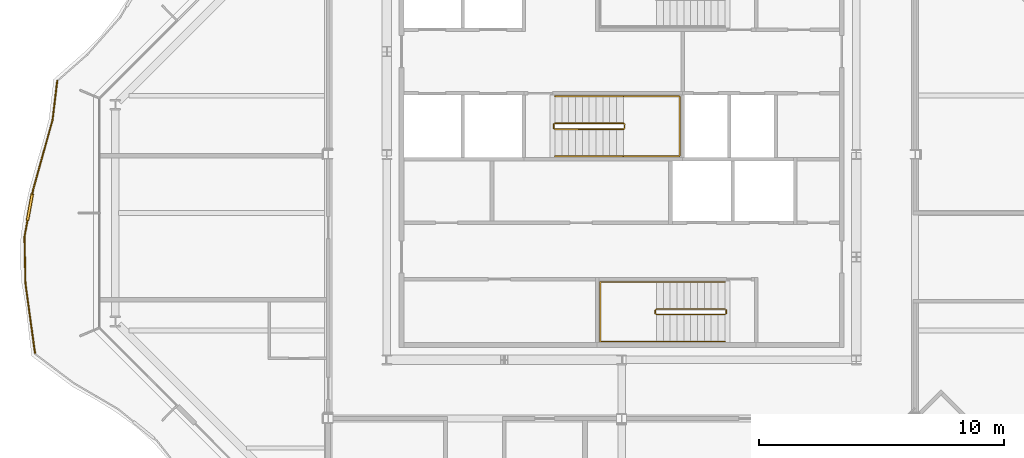
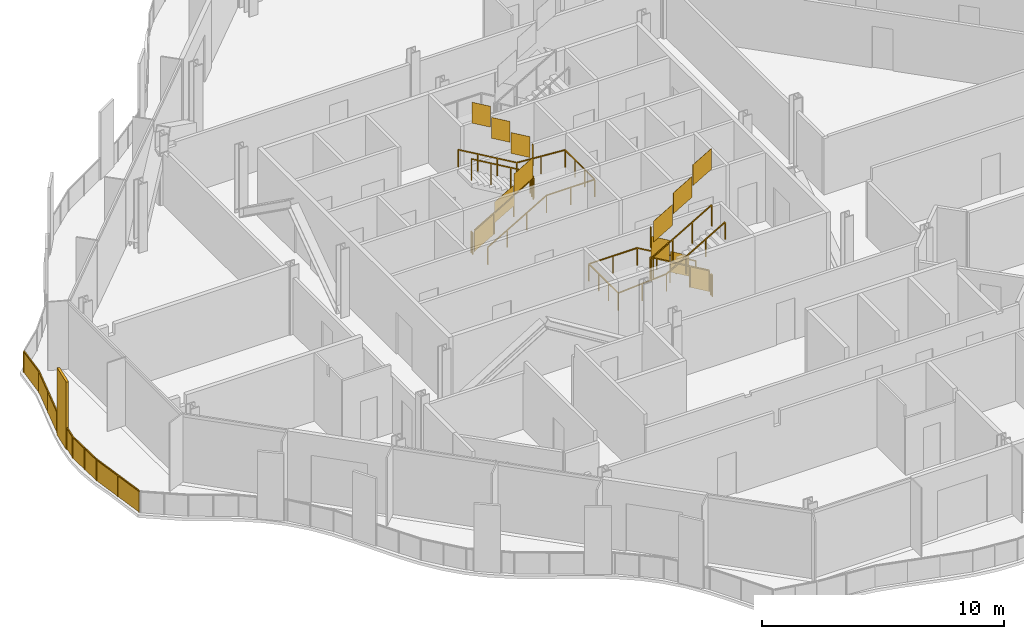
# One storey, part 14 of 17: 7 railings.
"""IFC4 building model written with IfcOpenShell, lengths in metres."""

from ifc_helpers import new_model, si_unit, direction, frame, origin, origin_2d, place, context, subcontext, project, spatial, polyline, rectangle, outline, extrude, material, type_object, element, save


model = new_model("IFC4")

# Units and contexts
model_context = context("Model", 3, precision=1e-05, world=origin(), true_north=direction((0.0, 1.0)))
body_context = subcontext(model_context, "Body", "Model", "MODEL_VIEW")
ifc_project = project(units=[si_unit("LENGTHUNIT", "METRE"), si_unit("AREAUNIT", "SQUARE_METRE"), si_unit("VOLUMEUNIT", "CUBIC_METRE"), si_unit("PLANEANGLEUNIT", "RADIAN"), si_unit("MASSUNIT", "GRAM", prefix="KILO")], contexts=[model_context])

# Site, building, storey
site_placement = place(None, origin())
site = spatial("IfcSite", under=ifc_project, at=site_placement, CompositionType="ELEMENT")
building_placement = place(site_placement, origin())
building = spatial("IfcBuilding", under=site, at=building_placement, Name="Cairn Pilgrim Tower", CompositionType="ELEMENT")
storey_placement = place(building_placement, frame((0.0, 0.0, 214.199951171875)))
storey = spatial("IfcBuildingStorey", under=building, at=storey_placement, Name="L54", CompositionType="ELEMENT", Elevation=214.199951171875)

# Railings
ifc_material_1 = material(Name="Bronze anodised aluminium rail, posts and fin screens with laminated glass infill", Category="aluminium")
railing_type_1 = type_object("IfcRailingType", Name="BALCONY GUARD WITH FIN SCREENS", PredefinedType="GUARDRAIL", material=ifc_material_1)
railing_1_placement = place(storey_placement, frame((-15.87744140625, 5.396240234375, 0.0)))
element("IfcRailing", 1, at=railing_1_placement, inside=storey, type_object=railing_type_1, Name="Balcony guard BGF-6 with fin screens", PredefinedType="GUARDRAIL", context=body_context, shape_type="SweptSolid", body=[
    extrude(rectangle(XDim=0.050048828125, YDim=0.050048828125, at=origin_2d()), frame((0.0, 0.0, 1.0751953125), z_axis=(-0.118047753881, -0.993007919306, 0.0), x_axis=(0.993007919306, -0.118047753881, 0.0)), (0.0, 0.0, 1.0), 1.5966796875),
    extrude(rectangle(XDim=0.050048828125, YDim=0.050048828125, at=origin_2d()), frame((-0.1884765625, -1.58544921875, 1.0751953125), z_axis=(-0.26848056208, -0.963285102026, 0.0), x_axis=(0.963285102026, -0.26848056208, 0.0)), (0.0, 0.0, 1.0), 2.994384765625),
    extrude(rectangle(XDim=1.10009765625, YDim=0.110107421875, at=origin_2d()), frame((-1.117431640625, -5.158447265625, 0.0), z_axis=(0.0, 0.0, 1.0), x_axis=(-0.178684983345, -0.983906335343, 0.0)), (0.0, 0.0, 1.0), 3.39990234375),
    extrude(rectangle(XDim=0.050048828125, YDim=0.050048828125, at=origin_2d()), frame((-0.992431640625, -4.469970703125, 1.0751953125), z_axis=(-0.178684983345, -0.983906335343, 0.0), x_axis=(0.983906335343, -0.178684983345, 0.0)), (0.0, 0.0, 1.0), 0.149658203125),
    extrude(rectangle(XDim=0.050048828125, YDim=0.050048828125, at=origin_2d()), frame((-1.2158203125, -5.699462890625, 1.0751953125), z_axis=(-0.178684983345, -0.983906335343, 0.0), x_axis=(0.983906335343, -0.178684983345, 0.0)), (0.0, 0.0, 1.0), 0.679443359375),
    extrude(rectangle(XDim=0.050048828125, YDim=0.050048828125, at=origin_2d()), frame((-1.337158203125, -6.3681640625, 1.0751953125), z_axis=(0.020078340876, -0.999798409795, 0.0), x_axis=(0.999798409795, 0.020078340876, 0.0)), (0.0, 0.0, 1.0), 1.89697265625),
    extrude(rectangle(XDim=0.050048828125, YDim=0.050048828125, at=origin_2d()), frame((-1.299072265625, -8.2646484375, 1.0751953125), z_axis=(0.135455995671, -0.990783363423, 0.0), x_axis=(0.990783363423, 0.135455995671, 0.0)), (0.0, 0.0, 1.0), 2.8603515625),
    extrude(rectangle(XDim=0.050048828125, YDim=0.050048828125, at=origin_2d()), origin(), (0.0, 0.0, 1.0), 1.050048828125),
    extrude(rectangle(XDim=0.050048828125, YDim=0.050048828125, at=origin_2d()), frame((-0.1884765625, -1.58544921875, 0.0)), (0.0, 0.0, 1.0), 1.050048828125),
    extrude(rectangle(XDim=0.050048828125, YDim=0.050048828125, at=origin_2d()), frame((-0.59033203125, -3.02783203125, 0.0)), (0.0, 0.0, 1.0), 1.050048828125),
    extrude(rectangle(XDim=0.050048828125, YDim=0.050048828125, at=origin_2d()), frame((-0.992431640625, -4.469970703125, 0.0)), (0.0, 0.0, 1.0), 1.050048828125),
    extrude(rectangle(XDim=0.050048828125, YDim=0.050048828125, at=origin_2d()), frame((-1.0146484375, -4.5927734375, 0.0)), (0.0, 0.0, 1.0), 1.050048828125),
    extrude(rectangle(XDim=0.050048828125, YDim=0.050048828125, at=origin_2d()), frame((-1.22021484375, -5.72412109375, 0.0)), (0.0, 0.0, 1.0), 1.050048828125),
    extrude(rectangle(XDim=0.050048828125, YDim=0.050048828125, at=origin_2d()), frame((-1.337158203125, -6.3681640625, 0.0)), (0.0, 0.0, 1.0), 1.050048828125),
    extrude(rectangle(XDim=0.050048828125, YDim=0.050048828125, at=origin_2d()), frame((-1.318115234375, -7.31640625, 0.0)), (0.0, 0.0, 1.0), 1.050048828125),
    extrude(rectangle(XDim=0.050048828125, YDim=0.050048828125, at=origin_2d()), frame((-1.299072265625, -8.2646484375, 0.0)), (0.0, 0.0, 1.0), 1.050048828125),
    extrude(rectangle(XDim=0.050048828125, YDim=0.050048828125, at=origin_2d()), frame((-1.10546875, -9.681640625, 0.0)), (0.0, 0.0, 1.0), 1.050048828125),
    extrude(rectangle(XDim=0.050048828125, YDim=0.050048828125, at=origin_2d()), frame((-0.91162109375, -11.0986328125, 0.0)), (0.0, 0.0, 1.0), 1.050048828125),
    extrude(outline(polyline([(0.02490234375, 0.0), (1.571533203125, 0.0), (1.571533203125, 1.050048828125), (0.02490234375, 1.050048828125), (0.02490234375, 0.0)])), frame((0.005859375, -0.000732421875, 0.0), z_axis=(-0.993007919306, 0.118047753881, 0.0), x_axis=(-0.118047753881, -0.993007919306, 0.0)), (0.0, 0.0, 1.0), 0.011962890625),
    extrude(outline(polyline([(0.02490234375, 0.0), (1.47216796875, 0.0), (1.47216796875, 1.050048828125), (0.02490234375, 1.050048828125), (0.02490234375, 0.0)])), frame((-0.1826171875, -1.587158203125, 0.0), z_axis=(-0.963285102026, 0.26848056208, 0.0), x_axis=(-0.26848056208, -0.963285102026, 0.0)), (0.0, 0.0, 1.0), 0.011962890625),
    extrude(outline(polyline([(0.02490234375, 0.0), (1.47216796875, 0.0), (1.47216796875, 1.050048828125), (0.02490234375, 1.050048828125), (0.02490234375, 0.0)])), frame((-0.584716796875, -3.029296875, 0.0), z_axis=(-0.963285102026, 0.26848056208, 0.0), x_axis=(-0.26848056208, -0.963285102026, 0.0)), (0.0, 0.0, 1.0), 0.011962890625),
    extrude(outline(polyline([(0.02490234375, 0.0), (0.099609375, 0.0), (0.099609375, 1.050048828125), (0.02490234375, 1.050048828125), (0.02490234375, 0.0)])), frame((-0.986572265625, -4.470947265625, 0.0), z_axis=(-0.983906335343, 0.178684983345, 0.0), x_axis=(-0.178684983345, -0.983906335343, 0.0)), (0.0, 0.0, 1.0), 0.011962890625),
    extrude(outline(polyline([(0.02490234375, 0.0), (0.62939453125, 0.0), (0.62939453125, 1.050048828125), (0.02490234375, 1.050048828125), (0.02490234375, 0.0)])), frame((-1.21435546875, -5.725341796875, 0.0), z_axis=(-0.983906335343, 0.178684983345, 0.0), x_axis=(-0.178684983345, -0.983906335343, 0.0)), (0.0, 0.0, 1.0), 0.011962890625),
    extrude(outline(polyline([(0.02490234375, 0.0), (0.92333984375, 0.0), (0.92333984375, 1.050048828125), (0.02490234375, 1.050048828125), (0.02490234375, 0.0)])), frame((-1.331298828125, -6.3681640625, 0.0), z_axis=(-0.999798409795, -0.020078340876, 0.0), x_axis=(0.020078340876, -0.999798409795, 0.0)), (0.0, 0.0, 1.0), 0.011962890625),
    extrude(outline(polyline([(0.02490234375, 0.0), (0.92333984375, 0.0), (0.92333984375, 1.050048828125), (0.02490234375, 1.050048828125), (0.02490234375, 0.0)])), frame((-1.312255859375, -7.31640625, 0.0), z_axis=(-0.999798409795, -0.020078340876, 0.0), x_axis=(0.020078340876, -0.999798409795, 0.0)), (0.0, 0.0, 1.0), 0.011962890625),
    extrude(outline(polyline([(0.02490234375, 0.0), (1.405029296875, 0.0), (1.405029296875, 1.050048828125), (0.02490234375, 1.050048828125), (0.02490234375, 0.0)])), frame((-1.293212890625, -8.263916015625, 0.0), z_axis=(-0.990783363423, -0.135455995671, 0.0), x_axis=(0.135455995671, -0.990783363423, 0.0)), (0.0, 0.0, 1.0), 0.011962890625),
    extrude(outline(polyline([(0.02490234375, 0.0), (1.405029296875, 0.0), (1.405029296875, 1.050048828125), (0.02490234375, 1.050048828125), (0.02490234375, 0.0)])), frame((-1.099365234375, -9.680908203125, 0.0), z_axis=(-0.990783363423, -0.135455995671, 0.0), x_axis=(0.135455995671, -0.990783363423, 0.0)), (0.0, 0.0, 1.0), 0.011962890625),
])
ifc_material_2 = material(Name="Painted steel", Category="steel")
railing_type_2 = type_object("IfcRailingType", Name="STAIR GUARD 1100", PredefinedType="GUARDRAIL", material=ifc_material_2)
railing_2_placement = place(storey_placement, frame((11.425048828125, -3.925048828125, 0.16357421875)))
element("IfcRailing", 2, at=railing_2_placement, inside=storey, type_object=railing_type_2, Name="L54 ST-A stair guard 1", PredefinedType="GUARDRAIL", context=body_context, shape_type="SweptSolid", body=[
    extrude(rectangle(XDim=0.048095703125, YDim=0.048095703125, at=origin_2d()), frame((0.0, 0.0, 1.076171875), z_axis=(-0.863360870873, 0.0, 0.504586966384), x_axis=(0.0, -1.0, 0.0)), (0.0, 0.0, 1.0), 3.2431640625),
    extrude(rectangle(XDim=0.048095703125, YDim=0.048095703125, at=origin_2d()), frame((-2.800048828125, 0.0, 2.71240234375), z_axis=(-0.707106781187, -0.707106781187, 0.0), x_axis=(0.707106781187, -0.707106781187, 0.0)), (0.0, 0.0, 1.0), 0.07080078125),
    extrude(rectangle(XDim=0.048095703125, YDim=0.048095703125, at=origin_2d()), frame((-2.85009765625, -0.050048828125, 2.71240234375), z_axis=(0.0, -1.0, 0.0), x_axis=(1.0, 0.0, 0.0)), (0.0, 0.0, 1.0), 0.125),
    extrude(rectangle(XDim=0.048095703125, YDim=0.048095703125, at=origin_2d()), frame((-2.85009765625, -0.175048828125, 2.71240234375), z_axis=(0.280916556609, -0.279546231943, 0.91811752648), x_axis=(0.705375805398, 0.708833529934, 0.0)), (0.0, 0.0, 1.0), 0.17822265625),
    extrude(rectangle(XDim=0.048095703125, YDim=0.048095703125, at=origin_2d()), frame((-2.800048828125, -0.224853515625, 2.8759765625), z_axis=(0.863360870873, 0.0, 0.504586966384), x_axis=(0.0, 1.0, 0.0)), (0.0, 0.0, 1.0), 3.2431640625),
    extrude(rectangle(XDim=0.0419921875, YDim=0.0419921875, at=origin_2d()), origin(), (0.0, 0.0, 1.0), 1.052001953125),
    extrude(rectangle(XDim=0.0419921875, YDim=0.0419921875, at=origin_2d()), frame((-0.933349609375, 0.0, 0.54541015625)), (0.0, 0.0, 1.0), 1.052001953125),
    extrude(rectangle(XDim=0.0419921875, YDim=0.0419921875, at=origin_2d()), frame((-1.86669921875, 0.0, 1.091064453125)), (0.0, 0.0, 1.0), 1.052001953125),
    extrude(rectangle(XDim=0.0419921875, YDim=0.0419921875, at=origin_2d()), frame((-2.800048828125, 0.0, 1.636474609375)), (0.0, 0.0, 1.0), 1.052001953125),
    extrude(rectangle(XDim=0.0419921875, YDim=0.0419921875, at=origin_2d()), frame((-2.85009765625, -0.050048828125, 1.636474609375)), (0.0, 0.0, 1.0), 1.052001953125),
    extrude(rectangle(XDim=0.0419921875, YDim=0.0419921875, at=origin_2d()), frame((-2.85009765625, -0.175048828125, 1.636474609375)), (0.0, 0.0, 1.0), 1.052001953125),
    extrude(rectangle(XDim=0.0419921875, YDim=0.0419921875, at=origin_2d()), frame((-2.800048828125, -0.224853515625, 1.800048828125)), (0.0, 0.0, 1.0), 1.052001953125),
    extrude(rectangle(XDim=0.0419921875, YDim=0.0419921875, at=origin_2d()), frame((-1.86669921875, -0.224853515625, 2.345458984375)), (0.0, 0.0, 1.0), 1.052001953125),
    extrude(rectangle(XDim=0.0419921875, YDim=0.0419921875, at=origin_2d()), frame((-0.933349609375, -0.224853515625, 2.89111328125)), (0.0, 0.0, 1.0), 1.052001953125),
    extrude(rectangle(XDim=0.0419921875, YDim=0.0419921875, at=origin_2d()), frame((0.0, -0.224853515625, 3.4365234375)), (0.0, 0.0, 1.0), 1.052001953125),
    extrude(outline(polyline([(0.02099609375, 0.01220703125), (0.912353515625, 0.533203125), (0.912353515625, 1.585205078125), (0.02099609375, 1.064208984375), (0.02099609375, 0.01220703125)])), frame((0.0, -0.005859375, 0.0), z_axis=(0.0, 1.0, 0.0), x_axis=(-1.0, 0.0, 0.0)), (0.0, 0.0, 1.0), 0.011962890625),
    extrude(outline(polyline([(0.02099609375, 0.557861328125), (0.912353515625, 1.07861328125), (0.912353515625, 2.130615234375), (0.02099609375, 1.60986328125), (0.02099609375, 0.557861328125)])), frame((-0.933349609375, -0.005859375, 0.54541015625), z_axis=(0.0, 1.0, 0.0), x_axis=(-1.0, 0.0, 0.0)), (0.0, 0.0, 1.0), 0.011962890625),
    extrude(outline(polyline([(0.02099609375, 1.103271484375), (0.912353515625, 1.624267578125), (0.912353515625, 2.67626953125), (0.02099609375, 2.1552734375), (0.02099609375, 1.103271484375)])), frame((-1.86669921875, -0.005859375, 1.091064453125), z_axis=(0.0, 1.0, 0.0), x_axis=(-1.0, 0.0, 0.0)), (0.0, 0.0, 1.0), 0.011962890625),
    extrude(outline(polyline([(0.02099609375, 1.636474609375), (0.10400390625, 1.636474609375), (0.10400390625, 2.6884765625), (0.02099609375, 2.6884765625), (0.02099609375, 1.636474609375)])), frame((-2.84423828125, -0.050048828125, 1.636474609375), z_axis=(-1.0, 0.0, 0.0), x_axis=(0.0, -1.0, 0.0)), (0.0, 0.0, 1.0), 0.011962890625),
    extrude(outline(polyline([(0.02099609375, 1.812255859375), (0.912353515625, 2.333251953125), (0.912353515625, 3.38525390625), (0.02099609375, 2.8642578125), (0.02099609375, 1.812255859375)])), frame((-2.800048828125, -0.21875, 1.800048828125), z_axis=(0.0, -1.0, 0.0), x_axis=(1.0, 0.0, 0.0)), (0.0, 0.0, 1.0), 0.011962890625),
    extrude(outline(polyline([(0.02099609375, 2.35791015625), (0.912353515625, 2.878662109375), (0.912353515625, 3.9306640625), (0.02099609375, 3.409912109375), (0.02099609375, 2.35791015625)])), frame((-1.86669921875, -0.21875, 2.345458984375), z_axis=(0.0, -1.0, 0.0), x_axis=(1.0, 0.0, 0.0)), (0.0, 0.0, 1.0), 0.011962890625),
    extrude(outline(polyline([(0.02099609375, 2.9033203125), (0.912353515625, 3.42431640625), (0.912353515625, 4.476318359375), (0.02099609375, 3.955322265625), (0.02099609375, 2.9033203125)])), frame((-0.933349609375, -0.21875, 2.89111328125), z_axis=(0.0, -1.0, 0.0), x_axis=(1.0, 0.0, 0.0)), (0.0, 0.0, 1.0), 0.011962890625),
])
railing_3_placement = place(storey_placement, frame((11.47509765625, -3.97509765625, 0.0)))
element("IfcRailing", 3, at=railing_3_placement, inside=storey, type_object=railing_type_2, Name="L54 ST-A stair guard 2", PredefinedType="GUARDRAIL", context=body_context, shape_type="SweptSolid", body=[
    extrude(rectangle(XDim=0.048095703125, YDim=0.048095703125, at=origin_2d()), frame((0.0, 0.0, 1.076171875), z_axis=(0.0, -1.0, 0.0), x_axis=(1.0, 0.0, 0.0)), (0.0, 0.0, 1.0), 0.125),
    extrude(rectangle(XDim=0.0419921875, YDim=0.0419921875, at=origin_2d()), origin(), (0.0, 0.0, 1.0), 1.052001953125),
    extrude(rectangle(XDim=0.0419921875, YDim=0.0419921875, at=origin_2d()), frame((0.0, -0.125, 0.0)), (0.0, 0.0, 1.0), 1.052001953125),
    extrude(outline(polyline([(0.02099609375, 0.0), (0.10400390625, 0.0), (0.10400390625, 1.052001953125), (0.02099609375, 1.052001953125), (0.02099609375, 0.0)])), frame((0.005859375, 0.0, 0.0), z_axis=(-1.0, 0.0, 0.0), x_axis=(0.0, -1.0, 0.0)), (0.0, 0.0, 1.0), 0.011962890625),
])
railing_4_placement = place(storey_placement, frame((4.47509765625, 3.425048828125, 0.16357421875)))
element("IfcRailing", 4, at=railing_4_placement, inside=storey, type_object=railing_type_2, Name="L54 ST-B stair guard 1", PredefinedType="GUARDRAIL", context=body_context, shape_type="SweptSolid", body=[
    extrude(rectangle(XDim=0.048095703125, YDim=0.048095703125, at=origin_2d()), frame((0.0, 0.0, 1.076171875), z_axis=(0.863341702679, 0.0, 0.504619762213), x_axis=(0.0, 1.0, 0.0)), (0.0, 0.0, 1.0), 3.242919921875),
    extrude(rectangle(XDim=0.048095703125, YDim=0.048095703125, at=origin_2d()), frame((2.7998046875, 0.0, 2.71240234375), z_axis=(0.707106781187, 0.707106781187, 0.0), x_axis=(-0.707106781187, 0.707106781187, 0.0)), (0.0, 0.0, 1.0), 0.07080078125),
    extrude(rectangle(XDim=0.048095703125, YDim=0.048095703125, at=origin_2d()), frame((2.849853515625, 0.050048828125, 2.71240234375), z_axis=(0.0, 1.0, 0.0), x_axis=(-1.0, 0.0, 0.0)), (0.0, 0.0, 1.0), 0.14990234375),
    extrude(rectangle(XDim=0.048095703125, YDim=0.048095703125, at=origin_2d()), frame((2.849853515625, 0.199951171875, 2.71240234375), z_axis=(-0.280808744504, 0.280808744504, 0.917765164963), x_axis=(-0.707106781187, -0.707106781187, 0.0)), (0.0, 0.0, 1.0), 0.17822265625),
    extrude(rectangle(XDim=0.048095703125, YDim=0.048095703125, at=origin_2d()), frame((2.7998046875, 0.25, 2.8759765625), z_axis=(-0.863341702679, 0.0, 0.504619762213), x_axis=(0.0, -1.0, 0.0)), (0.0, 0.0, 1.0), 3.242919921875),
    extrude(rectangle(XDim=0.0419921875, YDim=0.0419921875, at=origin_2d()), origin(), (0.0, 0.0, 1.0), 1.052001953125),
    extrude(rectangle(XDim=0.0419921875, YDim=0.0419921875, at=origin_2d()), frame((0.933349609375, 0.0, 0.54541015625)), (0.0, 0.0, 1.0), 1.052001953125),
    extrude(rectangle(XDim=0.0419921875, YDim=0.0419921875, at=origin_2d()), frame((1.866455078125, 0.0, 1.091064453125)), (0.0, 0.0, 1.0), 1.052001953125),
    extrude(rectangle(XDim=0.0419921875, YDim=0.0419921875, at=origin_2d()), frame((2.7998046875, 0.0, 1.636474609375)), (0.0, 0.0, 1.0), 1.052001953125),
    extrude(rectangle(XDim=0.0419921875, YDim=0.0419921875, at=origin_2d()), frame((2.849853515625, 0.050048828125, 1.636474609375)), (0.0, 0.0, 1.0), 1.052001953125),
    extrude(rectangle(XDim=0.0419921875, YDim=0.0419921875, at=origin_2d()), frame((2.849853515625, 0.199951171875, 1.636474609375)), (0.0, 0.0, 1.0), 1.052001953125),
    extrude(rectangle(XDim=0.0419921875, YDim=0.0419921875, at=origin_2d()), frame((2.7998046875, 0.25, 1.800048828125)), (0.0, 0.0, 1.0), 1.052001953125),
    extrude(rectangle(XDim=0.0419921875, YDim=0.0419921875, at=origin_2d()), frame((1.866455078125, 0.25, 2.345458984375)), (0.0, 0.0, 1.0), 1.052001953125),
    extrude(rectangle(XDim=0.0419921875, YDim=0.0419921875, at=origin_2d()), frame((0.933349609375, 0.25, 2.89111328125)), (0.0, 0.0, 1.0), 1.052001953125),
    extrude(rectangle(XDim=0.0419921875, YDim=0.0419921875, at=origin_2d()), frame((0.0, 0.25, 3.4365234375)), (0.0, 0.0, 1.0), 1.052001953125),
    extrude(outline(polyline([(0.02099609375, 0.01220703125), (0.912353515625, 0.533203125), (0.912353515625, 1.585205078125), (0.02099609375, 1.064208984375), (0.02099609375, 0.01220703125)])), frame((0.0, 0.005859375, 0.0), z_axis=(0.0, -1.0, 0.0), x_axis=(1.0, 0.0, 0.0)), (0.0, 0.0, 1.0), 0.011962890625),
    extrude(outline(polyline([(0.02099609375, 0.557861328125), (0.912353515625, 1.07861328125), (0.912353515625, 2.130615234375), (0.02099609375, 1.60986328125), (0.02099609375, 0.557861328125)])), frame((0.933349609375, 0.005859375, 0.54541015625), z_axis=(0.0, -1.0, 0.0), x_axis=(1.0, 0.0, 0.0)), (0.0, 0.0, 1.0), 0.011962890625),
    extrude(outline(polyline([(0.02099609375, 1.103271484375), (0.912353515625, 1.624267578125), (0.912353515625, 2.67626953125), (0.02099609375, 2.1552734375), (0.02099609375, 1.103271484375)])), frame((1.866455078125, 0.005859375, 1.091064453125), z_axis=(0.0, -1.0, 0.0), x_axis=(1.0, 0.0, 0.0)), (0.0, 0.0, 1.0), 0.011962890625),
    extrude(outline(polyline([(0.02099609375, 1.636474609375), (0.12890625, 1.636474609375), (0.12890625, 2.6884765625), (0.02099609375, 2.6884765625), (0.02099609375, 1.636474609375)])), frame((2.84375, 0.050048828125, 1.636474609375), z_axis=(1.0, 0.0, 0.0), x_axis=(0.0, 1.0, 0.0)), (0.0, 0.0, 1.0), 0.011962890625),
    extrude(outline(polyline([(0.02099609375, 1.812255859375), (0.912353515625, 2.333251953125), (0.912353515625, 3.38525390625), (0.02099609375, 2.8642578125), (0.02099609375, 1.812255859375)])), frame((2.7998046875, 0.244140625, 1.800048828125), z_axis=(0.0, 1.0, 0.0), x_axis=(-1.0, 0.0, 0.0)), (0.0, 0.0, 1.0), 0.011962890625),
    extrude(outline(polyline([(0.02099609375, 2.35791015625), (0.912353515625, 2.878662109375), (0.912353515625, 3.9306640625), (0.02099609375, 3.409912109375), (0.02099609375, 2.35791015625)])), frame((1.866455078125, 0.244140625, 2.345458984375), z_axis=(0.0, 1.0, 0.0), x_axis=(-1.0, 0.0, 0.0)), (0.0, 0.0, 1.0), 0.011962890625),
    extrude(outline(polyline([(0.02099609375, 2.9033203125), (0.912353515625, 3.42431640625), (0.912353515625, 4.476318359375), (0.02099609375, 3.955322265625), (0.02099609375, 2.9033203125)])), frame((0.933349609375, 0.244140625, 2.89111328125), z_axis=(0.0, 1.0, 0.0), x_axis=(-1.0, 0.0, 0.0)), (0.0, 0.0, 1.0), 0.011962890625),
])
railing_5_placement = place(storey_placement, frame((4.425048828125, 3.47509765625, 0.0)))
element("IfcRailing", 5, at=railing_5_placement, inside=storey, type_object=railing_type_2, Name="L54 ST-B stair guard 2", PredefinedType="GUARDRAIL", context=body_context, shape_type="SweptSolid", body=[
    extrude(rectangle(XDim=0.048095703125, YDim=0.048095703125, at=origin_2d()), frame((0.0, 0.0, 1.076171875), z_axis=(0.0, 1.0, 0.0), x_axis=(-1.0, 0.0, 0.0)), (0.0, 0.0, 1.0), 0.14990234375),
    extrude(rectangle(XDim=0.0419921875, YDim=0.0419921875, at=origin_2d()), origin(), (0.0, 0.0, 1.0), 1.052001953125),
    extrude(rectangle(XDim=0.0419921875, YDim=0.0419921875, at=origin_2d()), frame((0.0, 0.14990234375, 0.0)), (0.0, 0.0, 1.0), 1.052001953125),
    extrude(outline(polyline([(0.02099609375, 0.0), (0.12890625, 0.0), (0.12890625, 1.052001953125), (0.02099609375, 1.052001953125), (0.02099609375, 0.0)])), frame((-0.005859375, 0.0, 0.0), z_axis=(1.0, 0.0, 0.0), x_axis=(0.0, 1.0, 0.0)), (0.0, 0.0, 1.0), 0.011962890625),
])
railing_type_3 = type_object("IfcRailingType", Name="STAIR HANDRAIL 900", PredefinedType="HANDRAIL", material=ifc_material_2)
railing_6_placement = place(storey_placement, frame((11.425048828125, -2.824951171875, 0.16357421875)))
element("IfcRailing", 6, at=railing_6_placement, inside=storey, type_object=railing_type_3, Name="L54 ST-A stair handrail 1", PredefinedType="HANDRAIL", context=body_context, shape_type="SweptSolid", body=[
    extrude(rectangle(XDim=0.048095703125, YDim=0.048095703125, at=origin_2d()), frame((0.0, 0.0, 0.8759765625), z_axis=(-0.863360870873, 0.0, 0.504586966384), x_axis=(0.0, -1.0, 0.0)), (0.0, 0.0, 1.0), 3.2431640625),
    extrude(rectangle(XDim=0.048095703125, YDim=0.048095703125, at=origin_2d()), frame((-2.800048828125, 0.0, 2.51220703125), z_axis=(-1.0, 0.0, 0.0), x_axis=(0.0, -1.0, 0.0)), (0.0, 0.0, 1.0), 2.300048828125),
    extrude(rectangle(XDim=0.048095703125, YDim=0.048095703125, at=origin_2d()), frame((-5.10009765625, 0.0, 2.51220703125), z_axis=(0.0, -1.0, 0.0), x_axis=(1.0, 0.0, 0.0)), (0.0, 0.0, 1.0), 2.425048828125),
    extrude(rectangle(XDim=0.048095703125, YDim=0.048095703125, at=origin_2d()), frame((-5.10009765625, -2.425048828125, 2.51220703125), z_axis=(0.997480687736, 0.0, 0.070938548008), x_axis=(0.0, 1.0, 0.0)), (0.0, 0.0, 1.0), 2.305908203125),
    extrude(rectangle(XDim=0.048095703125, YDim=0.048095703125, at=origin_2d()), frame((-2.800048828125, -2.425048828125, 2.67578125), z_axis=(0.863360870873, 0.0, 0.504586966384), x_axis=(0.0, 1.0, 0.0)), (0.0, 0.0, 1.0), 3.2431640625),
    extrude(rectangle(XDim=0.0419921875, YDim=0.0419921875, at=origin_2d()), origin(), (0.0, 0.0, 1.0), 0.851806640625),
    extrude(rectangle(XDim=0.0419921875, YDim=0.0419921875, at=origin_2d()), frame((-0.933349609375, 0.0, 0.54541015625)), (0.0, 0.0, 1.0), 0.851806640625),
    extrude(rectangle(XDim=0.0419921875, YDim=0.0419921875, at=origin_2d()), frame((-1.86669921875, 0.0, 1.091064453125)), (0.0, 0.0, 1.0), 0.851806640625),
    extrude(rectangle(XDim=0.0419921875, YDim=0.0419921875, at=origin_2d()), frame((-2.800048828125, 0.0, 1.636474609375)), (0.0, 0.0, 1.0), 0.851806640625),
    extrude(rectangle(XDim=0.0419921875, YDim=0.0419921875, at=origin_2d()), frame((-3.9501953125, 0.0, 1.636474609375)), (0.0, 0.0, 1.0), 0.851806640625),
    extrude(rectangle(XDim=0.0419921875, YDim=0.0419921875, at=origin_2d()), frame((-5.10009765625, 0.0, 1.636474609375)), (0.0, 0.0, 1.0), 0.851806640625),
    extrude(rectangle(XDim=0.0419921875, YDim=0.0419921875, at=origin_2d()), frame((-5.10009765625, -0.808349609375, 1.636474609375)), (0.0, 0.0, 1.0), 0.851806640625),
    extrude(rectangle(XDim=0.0419921875, YDim=0.0419921875, at=origin_2d()), frame((-5.10009765625, -1.61669921875, 1.636474609375)), (0.0, 0.0, 1.0), 0.851806640625),
    extrude(rectangle(XDim=0.0419921875, YDim=0.0419921875, at=origin_2d()), frame((-5.10009765625, -2.425048828125, 1.636474609375)), (0.0, 0.0, 1.0), 0.851806640625),
    extrude(rectangle(XDim=0.0419921875, YDim=0.0419921875, at=origin_2d()), frame((-3.9501953125, -2.425048828125, 1.71826171875)), (0.0, 0.0, 1.0), 0.851806640625),
    extrude(rectangle(XDim=0.0419921875, YDim=0.0419921875, at=origin_2d()), frame((-2.800048828125, -2.425048828125, 1.800048828125)), (0.0, 0.0, 1.0), 0.851806640625),
    extrude(rectangle(XDim=0.0419921875, YDim=0.0419921875, at=origin_2d()), frame((-1.86669921875, -2.425048828125, 2.345458984375)), (0.0, 0.0, 1.0), 0.851806640625),
    extrude(rectangle(XDim=0.0419921875, YDim=0.0419921875, at=origin_2d()), frame((-0.933349609375, -2.425048828125, 2.89111328125)), (0.0, 0.0, 1.0), 0.851806640625),
    extrude(rectangle(XDim=0.0419921875, YDim=0.0419921875, at=origin_2d()), frame((0.0, -2.425048828125, 3.4365234375)), (0.0, 0.0, 1.0), 0.851806640625),
])
railing_7_placement = place(storey_placement, frame((4.47509765625, 2.324951171875, 0.16357421875)))
element("IfcRailing", 7, at=railing_7_placement, inside=storey, type_object=railing_type_3, Name="L54 ST-B stair handrail 1", PredefinedType="HANDRAIL", context=body_context, shape_type="SweptSolid", body=[
    extrude(rectangle(XDim=0.048095703125, YDim=0.048095703125, at=origin_2d()), frame((0.0, 0.0, 0.8759765625), z_axis=(0.863341702679, 0.0, 0.504619762213), x_axis=(0.0, 1.0, 0.0)), (0.0, 0.0, 1.0), 3.242919921875),
    extrude(rectangle(XDim=0.048095703125, YDim=0.048095703125, at=origin_2d()), frame((2.7998046875, 0.0, 2.51220703125), z_axis=(1.0, 0.0, 0.0), x_axis=(0.0, 1.0, 0.0)), (0.0, 0.0, 1.0), 2.300048828125),
    extrude(rectangle(XDim=0.048095703125, YDim=0.048095703125, at=origin_2d()), frame((5.099853515625, 0.0, 2.51220703125), z_axis=(0.0, 1.0, 0.0), x_axis=(-1.0, 0.0, 0.0)), (0.0, 0.0, 1.0), 2.449951171875),
    extrude(rectangle(XDim=0.048095703125, YDim=0.048095703125, at=origin_2d()), frame((5.099853515625, 2.449951171875, 2.51220703125), z_axis=(-0.997480687736, 0.0, 0.070938548008), x_axis=(0.0, -1.0, 0.0)), (0.0, 0.0, 1.0), 2.305908203125),
    extrude(rectangle(XDim=0.048095703125, YDim=0.048095703125, at=origin_2d()), frame((2.7998046875, 2.449951171875, 2.67578125), z_axis=(-0.863341702679, 0.0, 0.504619762213), x_axis=(0.0, -1.0, 0.0)), (0.0, 0.0, 1.0), 3.242919921875),
    extrude(rectangle(XDim=0.0419921875, YDim=0.0419921875, at=origin_2d()), origin(), (0.0, 0.0, 1.0), 0.851806640625),
    extrude(rectangle(XDim=0.0419921875, YDim=0.0419921875, at=origin_2d()), frame((0.933349609375, 0.0, 0.54541015625)), (0.0, 0.0, 1.0), 0.851806640625),
    extrude(rectangle(XDim=0.0419921875, YDim=0.0419921875, at=origin_2d()), frame((1.866455078125, 0.0, 1.091064453125)), (0.0, 0.0, 1.0), 0.851806640625),
    extrude(rectangle(XDim=0.0419921875, YDim=0.0419921875, at=origin_2d()), frame((2.7998046875, 0.0, 1.636474609375)), (0.0, 0.0, 1.0), 0.851806640625),
    extrude(rectangle(XDim=0.0419921875, YDim=0.0419921875, at=origin_2d()), frame((3.94970703125, 0.0, 1.636474609375)), (0.0, 0.0, 1.0), 0.851806640625),
    extrude(rectangle(XDim=0.0419921875, YDim=0.0419921875, at=origin_2d()), frame((5.099853515625, 0.0, 1.636474609375)), (0.0, 0.0, 1.0), 0.851806640625),
    extrude(rectangle(XDim=0.0419921875, YDim=0.0419921875, at=origin_2d()), frame((5.099853515625, 0.816650390625, 1.636474609375)), (0.0, 0.0, 1.0), 0.851806640625),
    extrude(rectangle(XDim=0.0419921875, YDim=0.0419921875, at=origin_2d()), frame((5.099853515625, 1.63330078125, 1.636474609375)), (0.0, 0.0, 1.0), 0.851806640625),
    extrude(rectangle(XDim=0.0419921875, YDim=0.0419921875, at=origin_2d()), frame((5.099853515625, 2.449951171875, 1.636474609375)), (0.0, 0.0, 1.0), 0.851806640625),
    extrude(rectangle(XDim=0.0419921875, YDim=0.0419921875, at=origin_2d()), frame((3.94970703125, 2.449951171875, 1.71826171875)), (0.0, 0.0, 1.0), 0.851806640625),
    extrude(rectangle(XDim=0.0419921875, YDim=0.0419921875, at=origin_2d()), frame((2.7998046875, 2.449951171875, 1.800048828125)), (0.0, 0.0, 1.0), 0.851806640625),
    extrude(rectangle(XDim=0.0419921875, YDim=0.0419921875, at=origin_2d()), frame((1.866455078125, 2.449951171875, 2.345458984375)), (0.0, 0.0, 1.0), 0.851806640625),
    extrude(rectangle(XDim=0.0419921875, YDim=0.0419921875, at=origin_2d()), frame((0.933349609375, 2.449951171875, 2.89111328125)), (0.0, 0.0, 1.0), 0.851806640625),
    extrude(rectangle(XDim=0.0419921875, YDim=0.0419921875, at=origin_2d()), frame((0.0, 2.449951171875, 3.4365234375)), (0.0, 0.0, 1.0), 0.851806640625),
])

save(model, "model.ifc")
